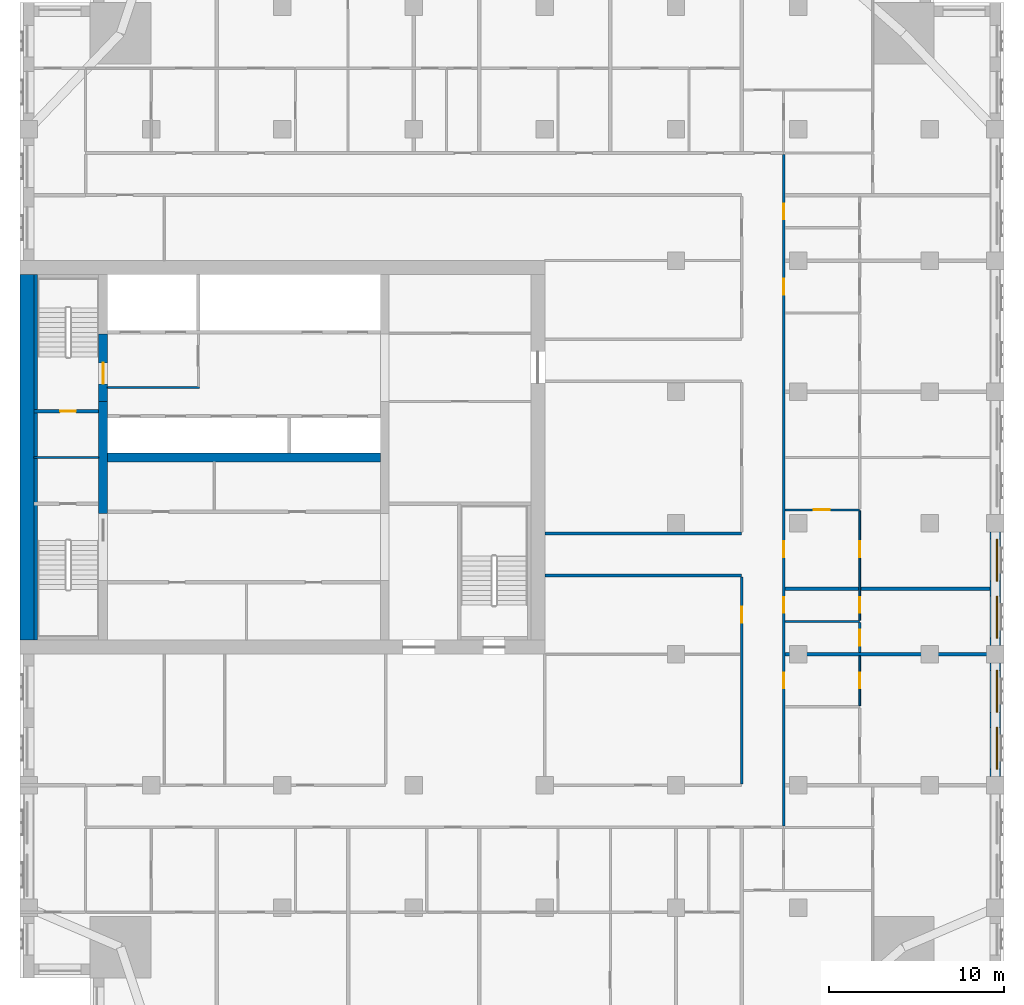
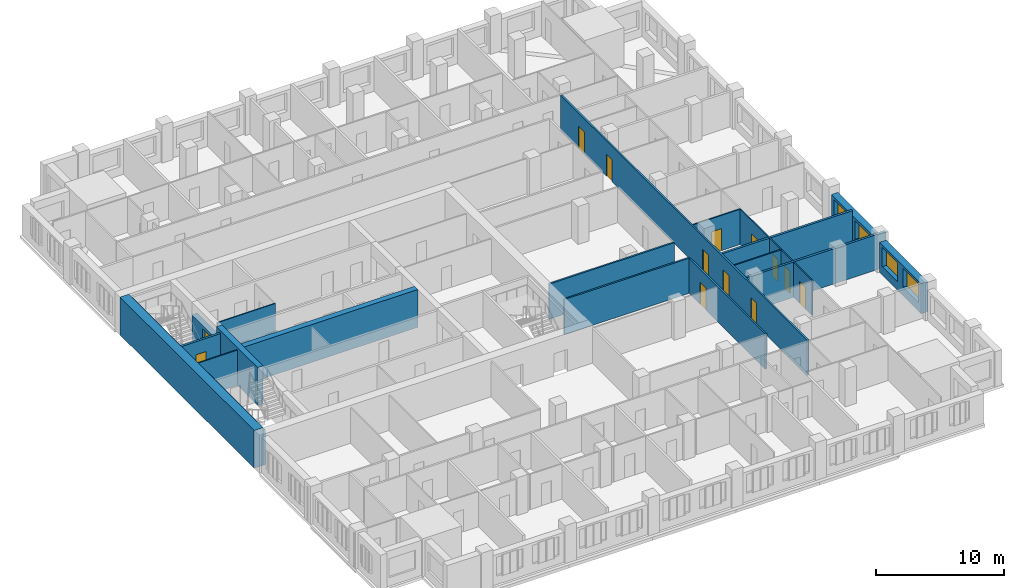
# One storey, part 7 of 14: 21 walls, 13 doors, 4 windows, 17 openings.
"""IFC4 building model written with IfcOpenShell, lengths in metres."""

from ifc_helpers import new_model, si_unit, direction, frame, frame_2d, origin, place, context, subcontext, project, spatial, rectangle, extrude, material, layer, layer_set, type_object, element, fill, save


model = new_model("IFC4")

# Units and contexts
model_context = context("Model", 3, precision=1e-05, world=origin(), true_north=direction((0.0, 1.0)))
body_context = subcontext(model_context, "Body", "Model", "MODEL_VIEW")
ifc_project = project(units=[si_unit("LENGTHUNIT", "METRE"), si_unit("AREAUNIT", "SQUARE_METRE"), si_unit("VOLUMEUNIT", "CUBIC_METRE"), si_unit("PLANEANGLEUNIT", "RADIAN"), si_unit("MASSUNIT", "GRAM", prefix="KILO")], contexts=[model_context])

# Site, building, storey
site_placement = place(None, origin())
site = spatial("IfcSite", under=ifc_project, at=site_placement, CompositionType="ELEMENT")
building_placement = place(site_placement, origin())
building = spatial("IfcBuilding", under=site, at=building_placement, Name="Tamorin Gate", CompositionType="ELEMENT")
storey_placement = place(building_placement, frame((0.0, 0.0, 133.800048828125)))
storey = spatial("IfcBuildingStorey", under=building, at=storey_placement, Name="L32", CompositionType="ELEMENT", Elevation=133.800048828125)

# Wall, openings, windows
ifc_material_1 = material(Name="Precast concrete C40/50", Category="concrete")
ifc_layer_1 = layer(ifc_material_1, 0.60009765625)
ifc_layer_set_1 = layer_set([ifc_layer_1], Name="Precast concrete C40/50")
wall_type_1 = type_object("IfcWallType", Name="Board-marked concrete facade panel 600", PredefinedType="SOLIDWALL", material=ifc_layer_set_1)
wall_1_placement = place(storey_placement, frame((85.75, 53.0, 0.0), z_axis=(0.0, 0.0, 1.0), x_axis=(0.0, 1.0, 0.0)))
wall_1 = element("IfcWall", 1, at=wall_1_placement, inside=storey, type_object=wall_type_1, Name="Facade panel", PredefinedType="SOLIDWALL", context=body_context, shape_type="SweptSolid", body=[
    extrude(rectangle(XDim=6.5, YDim=0.60009765625, at=frame_2d((3.25, 0.0))), origin(), (0.0, 0.0, 1.0), 2.849853515625),
])
opening_1_placement = place(wall_1_placement, frame((0.425048828125, 0.0, 0.800048828125)))
opening_1 = element("IfcOpeningElement", 2, at=opening_1_placement, cuts=wall_1, Name="Opening WN1", PredefinedType="OPENING", context=body_context, shape_type="SweptSolid", body=[
    extrude(rectangle(XDim=2.39990234375, YDim=1.800048828125, at=frame_2d((1.199951171875, 0.89990234375))), frame((0.0, 0.31005859375, 0.0), z_axis=(0.0, -1.0, 0.0), x_axis=(1.0, 0.0, 0.0)), (0.0, 0.0, 1.0), 0.6201171875),
])
opening_2_placement = place(wall_1_placement, frame((3.675048828125, 0.0, 0.800048828125)))
opening_2 = element("IfcOpeningElement", 3, at=opening_2_placement, cuts=wall_1, Name="Opening WN1", PredefinedType="OPENING", context=body_context, shape_type="SweptSolid", body=[
    extrude(rectangle(XDim=2.39990234375, YDim=1.800048828125, at=frame_2d((1.199951171875, 0.89990234375))), frame((0.0, 0.31005859375, 0.0), z_axis=(0.0, -1.0, 0.0), x_axis=(1.0, 0.0, 0.0)), (0.0, 0.0, 1.0), 0.6201171875),
])
ifc_material_2 = material(Name="Clear glass in aluminium frame", Category="aluminium")
window_type = type_object("IfcWindowType", Name="Deep-set window 2400x1800", PartitioningType="SINGLE_PANEL", PredefinedType="WINDOW", material=ifc_material_2)
window_1_placement = place(opening_1_placement, origin())
window_1 = element("IfcWindow", 4, at=window_1_placement, inside=storey, type_object=window_type, Name="Deep-set window", OverallHeight=1.800048828125, OverallWidth=2.39990234375, PartitioningType="SINGLE_PANEL", PredefinedType="WINDOW", context=body_context, shape_type="SweptSolid", body=[
    extrude(rectangle(XDim=2.39990234375, YDim=1.800048828125, at=frame_2d((1.199951171875, 0.89990234375))), frame((0.0, -0.070068359375, 0.0), z_axis=(0.0, -1.0, 0.0), x_axis=(1.0, 0.0, 0.0)), (0.0, 0.0, 1.0), 0.06005859375),
])
fill(opening_1, window_1)
window_2_placement = place(opening_2_placement, origin())
window_2 = element("IfcWindow", 5, at=window_2_placement, inside=storey, type_object=window_type, Name="Deep-set window", OverallHeight=1.800048828125, OverallWidth=2.39990234375, PartitioningType="SINGLE_PANEL", PredefinedType="WINDOW", context=body_context, shape_type="SweptSolid", body=[
    extrude(rectangle(XDim=2.39990234375, YDim=1.800048828125, at=frame_2d((1.199951171875, 0.89990234375))), frame((0.0, -0.070068359375, 0.0), z_axis=(0.0, -1.0, 0.0), x_axis=(1.0, 0.0, 0.0)), (0.0, 0.0, 1.0), 0.06005859375),
])
fill(opening_2, window_2)

wall_2_placement = place(storey_placement, frame((85.75, 60.5, 0.0), z_axis=(0.0, 0.0, 1.0), x_axis=(0.0, 1.0, 0.0)))
wall_2 = element("IfcWall", 6, at=wall_2_placement, inside=storey, type_object=wall_type_1, Name="Facade panel", PredefinedType="SOLIDWALL", context=body_context, shape_type="SweptSolid", body=[
    extrude(rectangle(XDim=6.5, YDim=0.60009765625, at=frame_2d((3.25, 0.0))), origin(), (0.0, 0.0, 1.0), 2.849853515625),
])
opening_3_placement = place(wall_2_placement, frame((0.425048828125, 0.0, 0.800048828125)))
opening_3 = element("IfcOpeningElement", 7, at=opening_3_placement, cuts=wall_2, Name="Opening WN1", PredefinedType="OPENING", context=body_context, shape_type="SweptSolid", body=[
    extrude(rectangle(XDim=2.39990234375, YDim=1.800048828125, at=frame_2d((1.199951171875, 0.89990234375))), frame((0.0, 0.31005859375, 0.0), z_axis=(0.0, -1.0, 0.0), x_axis=(1.0, 0.0, 0.0)), (0.0, 0.0, 1.0), 0.6201171875),
])
opening_4_placement = place(wall_2_placement, frame((3.675048828125, 0.0, 0.800048828125)))
opening_4 = element("IfcOpeningElement", 8, at=opening_4_placement, cuts=wall_2, Name="Opening WN1", PredefinedType="OPENING", context=body_context, shape_type="SweptSolid", body=[
    extrude(rectangle(XDim=2.39990234375, YDim=1.800048828125, at=frame_2d((1.199951171875, 0.89990234375))), frame((0.0, 0.31005859375, 0.0), z_axis=(0.0, -1.0, 0.0), x_axis=(1.0, 0.0, 0.0)), (0.0, 0.0, 1.0), 0.6201171875),
])
window_3_placement = place(opening_3_placement, origin())
window_3 = element("IfcWindow", 9, at=window_3_placement, inside=storey, type_object=window_type, Name="Deep-set window", OverallHeight=1.800048828125, OverallWidth=2.39990234375, PartitioningType="SINGLE_PANEL", PredefinedType="WINDOW", context=body_context, shape_type="SweptSolid", body=[
    extrude(rectangle(XDim=2.39990234375, YDim=1.800048828125, at=frame_2d((1.199951171875, 0.89990234375))), frame((0.0, -0.070068359375, 0.0), z_axis=(0.0, -1.0, 0.0), x_axis=(1.0, 0.0, 0.0)), (0.0, 0.0, 1.0), 0.06005859375),
])
fill(opening_3, window_3)
window_4_placement = place(opening_4_placement, origin())
window_4 = element("IfcWindow", 10, at=window_4_placement, inside=storey, type_object=window_type, Name="Deep-set window", OverallHeight=1.800048828125, OverallWidth=2.39990234375, PartitioningType="SINGLE_PANEL", PredefinedType="WINDOW", context=body_context, shape_type="SweptSolid", body=[
    extrude(rectangle(XDim=2.39990234375, YDim=1.800048828125, at=frame_2d((1.199951171875, 0.89990234375))), frame((0.0, -0.070068359375, 0.0), z_axis=(0.0, -1.0, 0.0), x_axis=(1.0, 0.0, 0.0)), (0.0, 0.0, 1.0), 0.06005859375),
])
fill(opening_4, window_4)

# Wall, opening, door
ifc_material_3 = material(Name="Gypsum board partition")
ifc_layer_2 = layer(ifc_material_3, 0.14990234375)
ifc_layer_set_2 = layer_set([ifc_layer_2], Name="Corridor wall 150")
wall_type_2 = type_object("IfcWallType", Name="Corridor wall 150", PredefinedType="PARTITIONING", material=ifc_layer_set_2)
wall_3_placement = place(storey_placement, frame((71.25, 52.574951171875, 0.0), z_axis=(0.0, 0.0, 1.0), x_axis=(0.0, 1.0, 0.0)))
wall_3 = element("IfcWall", 11, at=wall_3_placement, inside=storey, type_object=wall_type_2, Name="Corridor wall 150", PredefinedType="PARTITIONING", context=body_context, shape_type="SweptSolid", body=[
    extrude(rectangle(XDim=11.85009765625, YDim=0.14990234375, at=frame_2d((5.925048828125, 0.0))), origin(), (0.0, 0.0, 1.0), 3.349853515625),
])
opening_5_placement = place(wall_3_placement, frame((9.22509765625, 0.0, 0.0)))
opening_5 = element("IfcOpeningElement", 12, at=opening_5_placement, cuts=wall_3, Name="Opening DS2072", PredefinedType="OPENING", context=body_context, shape_type="SweptSolid", body=[
    extrude(rectangle(XDim=0.89990234375, YDim=2.10009765625, at=frame_2d((0.449951171875, 1.050048828125))), frame((0.0, 0.0849609375, 0.0), z_axis=(0.0, -1.0, 0.0), x_axis=(1.0, 0.0, 0.0)), (0.0, 0.0, 1.0), 0.169921875),
])
ifc_material_4 = material(Name="Timber door leaf", Category="wood")
door_type_1 = type_object("IfcDoorType", Name="Door 900 x 2100 FD30S", OperationType="NOTDEFINED", PredefinedType="DOOR", material=ifc_material_4)
door_1_placement = place(opening_5_placement, origin())
door_1 = element("IfcDoor", 13, at=door_1_placement, inside=storey, type_object=door_type_1, Name="Door DS2072", OperationType="SINGLE_SWING_LEFT", OverallHeight=2.10009765625, OverallWidth=0.89990234375, PredefinedType="DOOR", context=body_context, shape_type="SweptSolid", body=[
    extrude(rectangle(XDim=0.89990234375, YDim=2.10009765625, at=frame_2d((0.449951171875, 1.050048828125))), frame((0.0, 0.02490234375, 0.0), z_axis=(0.0, -1.0, 0.0), x_axis=(1.0, 0.0, 0.0)), (0.0, 0.0, 1.0), 0.050048828125),
])
fill(opening_5, door_1)

# Wall, openings, doors
wall_4_placement = place(storey_placement, frame((73.64990234375, 50.175048828125, 0.0), z_axis=(0.0, 0.0, 1.0), x_axis=(0.0, 1.0, 0.0)))
wall_4 = element("IfcWall", 14, at=wall_4_placement, inside=storey, type_object=wall_type_2, Name="Corridor wall 150", PredefinedType="PARTITIONING", context=body_context, shape_type="SweptSolid", body=[
    extrude(rectangle(XDim=38.39990234375, YDim=0.14990234375, at=frame_2d((19.199951171875, 0.0))), origin(), (0.0, 0.0, 1.0), 3.349853515625),
])
opening_6_placement = place(wall_4_placement, frame((7.875, 0.0, 0.0)))
opening_6 = element("IfcOpeningElement", 15, at=opening_6_placement, cuts=wall_4, Name="Opening DS2038", PredefinedType="OPENING", context=body_context, shape_type="SweptSolid", body=[
    extrude(rectangle(XDim=0.89990234375, YDim=2.10009765625, at=frame_2d((0.449951171875, 1.050048828125))), frame((0.0, 0.0849609375, 0.0), z_axis=(0.0, -1.0, 0.0), x_axis=(1.0, 0.0, 0.0)), (0.0, 0.0, 1.0), 0.169921875),
])
opening_7_placement = place(wall_4_placement, frame((12.1875, 0.0, 0.0)))
opening_7 = element("IfcOpeningElement", 16, at=opening_7_placement, cuts=wall_4, Name="Opening DS2041", PredefinedType="OPENING", context=body_context, shape_type="SweptSolid", body=[
    extrude(rectangle(XDim=0.89990234375, YDim=2.10009765625, at=frame_2d((0.449951171875, 1.050048828125))), frame((0.0, 0.0849609375, 0.0), z_axis=(0.0, -1.0, 0.0), x_axis=(1.0, 0.0, 0.0)), (0.0, 0.0, 1.0), 0.169921875),
])
opening_8_placement = place(wall_4_placement, frame((15.375, 0.0, 0.0)))
opening_8 = element("IfcOpeningElement", 17, at=opening_8_placement, cuts=wall_4, Name="Opening DS2043", PredefinedType="OPENING", context=body_context, shape_type="SweptSolid", body=[
    extrude(rectangle(XDim=0.89990234375, YDim=2.10009765625, at=frame_2d((0.449951171875, 1.050048828125))), frame((0.0, 0.0849609375, 0.0), z_axis=(0.0, -1.0, 0.0), x_axis=(1.0, 0.0, 0.0)), (0.0, 0.0, 1.0), 0.169921875),
])
opening_9_placement = place(wall_4_placement, frame((30.375, 0.0, 0.0)))
opening_9 = element("IfcOpeningElement", 18, at=opening_9_placement, cuts=wall_4, Name="Opening DS2049", PredefinedType="OPENING", context=body_context, shape_type="SweptSolid", body=[
    extrude(rectangle(XDim=0.89990234375, YDim=2.10009765625, at=frame_2d((0.449951171875, 1.050048828125))), frame((0.0, 0.0849609375, 0.0), z_axis=(0.0, -1.0, 0.0), x_axis=(1.0, 0.0, 0.0)), (0.0, 0.0, 1.0), 0.169921875),
])
opening_10_placement = place(wall_4_placement, frame((34.6875, 0.0, 0.0)))
opening_10 = element("IfcOpeningElement", 19, at=opening_10_placement, cuts=wall_4, Name="Opening DS2052", PredefinedType="OPENING", context=body_context, shape_type="SweptSolid", body=[
    extrude(rectangle(XDim=0.89990234375, YDim=2.10009765625, at=frame_2d((0.449951171875, 1.050048828125))), frame((0.0, 0.0849609375, 0.0), z_axis=(0.0, -1.0, 0.0), x_axis=(1.0, 0.0, 0.0)), (0.0, 0.0, 1.0), 0.169921875),
])
door_2_placement = place(opening_6_placement, origin())
door_2 = element("IfcDoor", 20, at=door_2_placement, inside=storey, type_object=door_type_1, Name="Door DS2038", OperationType="SINGLE_SWING_RIGHT", OverallHeight=2.10009765625, OverallWidth=0.89990234375, PredefinedType="DOOR", context=body_context, shape_type="SweptSolid", body=[
    extrude(rectangle(XDim=0.89990234375, YDim=2.10009765625, at=frame_2d((0.449951171875, 1.050048828125))), frame((0.0, 0.02490234375, 0.0), z_axis=(0.0, -1.0, 0.0), x_axis=(1.0, 0.0, 0.0)), (0.0, 0.0, 1.0), 0.050048828125),
])
fill(opening_6, door_2)
door_3_placement = place(opening_7_placement, origin())
door_3 = element("IfcDoor", 21, at=door_3_placement, inside=storey, type_object=door_type_1, Name="Door DS2041", OperationType="SINGLE_SWING_RIGHT", OverallHeight=2.10009765625, OverallWidth=0.89990234375, PredefinedType="DOOR", context=body_context, shape_type="SweptSolid", body=[
    extrude(rectangle(XDim=0.89990234375, YDim=2.10009765625, at=frame_2d((0.449951171875, 1.050048828125))), frame((0.0, 0.02490234375, 0.0), z_axis=(0.0, -1.0, 0.0), x_axis=(1.0, 0.0, 0.0)), (0.0, 0.0, 1.0), 0.050048828125),
])
fill(opening_7, door_3)
door_4_placement = place(opening_8_placement, origin())
door_4 = element("IfcDoor", 22, at=door_4_placement, inside=storey, type_object=door_type_1, Name="Door DS2043", OperationType="SINGLE_SWING_RIGHT", OverallHeight=2.10009765625, OverallWidth=0.89990234375, PredefinedType="DOOR", context=body_context, shape_type="SweptSolid", body=[
    extrude(rectangle(XDim=0.89990234375, YDim=2.10009765625, at=frame_2d((0.449951171875, 1.050048828125))), frame((0.0, 0.02490234375, 0.0), z_axis=(0.0, -1.0, 0.0), x_axis=(1.0, 0.0, 0.0)), (0.0, 0.0, 1.0), 0.050048828125),
])
fill(opening_8, door_4)
door_5_placement = place(opening_9_placement, origin())
door_5 = element("IfcDoor", 23, at=door_5_placement, inside=storey, type_object=door_type_1, Name="Door DS2049", OperationType="SINGLE_SWING_RIGHT", OverallHeight=2.10009765625, OverallWidth=0.89990234375, PredefinedType="DOOR", context=body_context, shape_type="SweptSolid", body=[
    extrude(rectangle(XDim=0.89990234375, YDim=2.10009765625, at=frame_2d((0.449951171875, 1.050048828125))), frame((0.0, 0.02490234375, 0.0), z_axis=(0.0, -1.0, 0.0), x_axis=(1.0, 0.0, 0.0)), (0.0, 0.0, 1.0), 0.050048828125),
])
fill(opening_9, door_5)
door_6_placement = place(opening_10_placement, origin())
door_6 = element("IfcDoor", 24, at=door_6_placement, inside=storey, type_object=door_type_1, Name="Door DS2052", OperationType="SINGLE_SWING_RIGHT", OverallHeight=2.10009765625, OverallWidth=0.89990234375, PredefinedType="DOOR", context=body_context, shape_type="SweptSolid", body=[
    extrude(rectangle(XDim=0.89990234375, YDim=2.10009765625, at=frame_2d((0.449951171875, 1.050048828125))), frame((0.0, 0.02490234375, 0.0), z_axis=(0.0, -1.0, 0.0), x_axis=(1.0, 0.0, 0.0)), (0.0, 0.0, 1.0), 0.050048828125),
])
fill(opening_10, door_6)

# Walls
ifc_layer_3 = layer(ifc_material_3, 0.199951171875)
ifc_layer_set_3 = layer_set([ifc_layer_3], Name="Demising wall 200")
wall_type_3 = type_object("IfcWallType", Name="Demising wall 200", PredefinedType="PARTITIONING", material=ifc_layer_set_3)
wall_5_placement = place(storey_placement, frame((73.72509765625, 60.0, 0.0), z_axis=(0.0, 0.0, 1.0), x_axis=(1.0, 0.0, 0.0)))
element("IfcWall", 25, at=wall_5_placement, inside=storey, type_object=wall_type_3, Name="Demising wall 200", PredefinedType="PARTITIONING", context=body_context, shape_type="SweptSolid", body=[
    extrude(rectangle(XDim=12.52490234375, YDim=0.199951171875, at=frame_2d((6.262451171875, 0.0))), origin(), (0.0, 0.0, 1.0), 3.349853515625),
])
wall_6_placement = place(storey_placement, frame((73.72509765625, 63.75, 0.0), z_axis=(0.0, 0.0, 1.0), x_axis=(1.0, 0.0, 0.0)))
element("IfcWall", 26, at=wall_6_placement, inside=storey, type_object=wall_type_3, Name="Demising wall 200", PredefinedType="PARTITIONING", context=body_context, shape_type="SweptSolid", body=[
    extrude(rectangle(XDim=11.71484375, YDim=0.199951171875, at=frame_2d((5.857421875, 0.0))), origin(), (0.0, 0.0, 1.0), 3.349853515625),
])
ifc_material_5 = material(Name="Fire-rated gypsum board partition")
ifc_layer_4 = layer(ifc_material_5, 0.10009765625)
ifc_layer_set_4 = layer_set([ifc_layer_4], Name="Lobby wall 100 EI 60")
wall_type_4 = type_object("IfcWallType", Name="Lobby wall 100 EI 60", PredefinedType="PARTITIONING", material=ifc_layer_set_4)
wall_7_placement = place(storey_placement, frame((35.0, 75.25, 0.0), z_axis=(0.0, 0.0, 1.0), x_axis=(1.0, 0.0, 0.0)))
element("IfcWall", 27, at=wall_7_placement, inside=storey, type_object=wall_type_4, Name="Firefighting lobby wall", PredefinedType="PARTITIONING", context=body_context, shape_type="SweptSolid", body=[
    extrude(rectangle(XDim=5.25, YDim=0.10009765625, at=frame_2d((2.625, 0.0))), origin(), (0.0, 0.0, 1.0), 3.349853515625),
])
ifc_layer_5 = layer(ifc_material_3, 0.14990234375)
ifc_layer_set_5 = layer_set([ifc_layer_5], Name="Lobby wall 150")
wall_type_5 = type_object("IfcWallType", Name="Lobby wall 150", PredefinedType="PARTITIONING", material=ifc_layer_set_5)
for number, where, z_axis, x_axis, name in (
    (28, (60.0, 64.5, 0.0), (0.0, 0.0, 1.0), (1.0, 0.0, 0.0), "Lobby wall 150"),
    (29, (60.0, 66.89990234375, 0.0), (0.0, 0.0, 1.0), (1.0, 0.0, 0.0), "Lobby wall 150"),
):
    element("IfcWall", number, at=place(storey_placement, frame(where, z_axis=z_axis, x_axis=x_axis)), inside=storey, type_object=wall_type_5, Name=name, PredefinedType="PARTITIONING", context=body_context, shape_type="SweptSolid", body=[
        extrude(rectangle(XDim=11.25, YDim=0.14990234375, at=frame_2d((5.625, 0.0))), origin(), (0.0, 0.0, 1.0), 3.349853515625),
    ])
ifc_material_6 = material(Name="Concrete C60/75", Category="concrete")
ifc_layer_6 = layer(ifc_material_6, 0.5)
ifc_layer_set_6 = layer_set([ifc_layer_6], Name="RC core internal wall 500 C60/75")
wall_type_6 = type_object("IfcWallType", Name="RC core internal wall 500 C60/75", PredefinedType="SHEAR", material=ifc_layer_set_6)
wall_8_placement = place(storey_placement, frame((35.0, 71.25, 0.0), z_axis=(0.0, 0.0, 1.0), x_axis=(1.0, 0.0, 0.0)))
element("IfcWall", 30, at=wall_8_placement, inside=storey, type_object=wall_type_6, Name="Core spine wall L32", PredefinedType="SHEAR", context=body_context, shape_type="SweptSolid", body=[
    extrude(rectangle(XDim=15.60009765625, YDim=0.5, at=frame_2d((7.800048828125, 0.0))), origin(), (0.0, 0.0, 1.0), 3.599853515625),
])
wall_9_placement = place(storey_placement, frame((34.75, 68.050048828125, 0.0), z_axis=(0.0, 0.0, 1.0), x_axis=(0.0, 1.0, 0.0)))
element("IfcWall", 31, at=wall_9_placement, inside=storey, type_object=wall_type_6, Name="Core cross wall L32", PredefinedType="SHEAR", context=body_context, shape_type="SweptSolid", body=[
    extrude(rectangle(XDim=6.39990234375, YDim=0.5, at=frame_2d((3.199951171875, 0.0))), origin(), (0.0, 0.0, 1.0), 3.599853515625),
])
ifc_layer_7 = layer(ifc_material_6, 0.800048828125)
ifc_layer_set_7 = layer_set([ifc_layer_7], Name="RC core wall 800 C60/75")
wall_type_7 = type_object("IfcWallType", Name="RC core wall 800 C60/75", PredefinedType="SHEAR", material=ifc_layer_set_7)
wall_10_placement = place(storey_placement, frame((30.39990234375, 60.800048828125, 0.0), z_axis=(0.0, 0.0, 1.0), x_axis=(0.0, 1.0, 0.0)))
element("IfcWall", 32, at=wall_10_placement, inside=storey, type_object=wall_type_7, Name="Core wall L32", PredefinedType="SHEAR", context=body_context, shape_type="SweptSolid", body=[
    extrude(rectangle(XDim=20.89990234375, YDim=0.800048828125, at=frame_2d((10.449951171875, 0.0))), origin(), (0.0, 0.0, 1.0), 3.599853515625),
])
ifc_layer_8 = layer(ifc_material_5, 0.10009765625)
ifc_layer_set_8 = layer_set([ifc_layer_8], Name="Riser partition 100 EI 120")
wall_type_8 = type_object("IfcWallType", Name="Riser partition 100 EI 120", PredefinedType="PARTITIONING", material=ifc_layer_set_8)
wall_11_placement = place(storey_placement, frame((30.800048828125, 71.25, 0.0), z_axis=(0.0, 0.0, 1.0), x_axis=(1.0, 0.0, 0.0)))
element("IfcWall", 33, at=wall_11_placement, inside=storey, type_object=wall_type_8, Name="Riser partition", PredefinedType="PARTITIONING", context=body_context, shape_type="SweptSolid", body=[
    extrude(rectangle(XDim=3.699951171875, YDim=0.10009765625, at=frame_2d((1.85009765625, 0.0))), origin(), (0.0, 0.0, 1.0), 3.349853515625),
])

# Wall, opening, door
ifc_layer_9 = layer(ifc_material_3, 0.10009765625)
ifc_layer_set_9 = layer_set([ifc_layer_9], Name="Room partition 100")
wall_type_9 = type_object("IfcWallType", Name="Room partition 100", PredefinedType="PARTITIONING", material=ifc_layer_set_9)
wall_12_placement = place(storey_placement, frame((78.0, 57.0625, 0.0), z_axis=(0.0, 0.0, 1.0), x_axis=(0.0, 1.0, 0.0)))
wall_12 = element("IfcWall", 34, at=wall_12_placement, inside=storey, type_object=wall_type_9, Name="Room partition 100", PredefinedType="PARTITIONING", context=body_context, shape_type="SweptSolid", body=[
    extrude(rectangle(XDim=2.83740234375, YDim=0.10009765625, at=frame_2d((1.418701171875, 0.0))), origin(), (0.0, 0.0, 1.0), 3.349853515625),
])
opening_11_placement = place(wall_12_placement, frame((0.987548828125, 0.0, 0.0)))
opening_11 = element("IfcOpeningElement", 35, at=opening_11_placement, cuts=wall_12, Name="Opening DS2039", PredefinedType="OPENING", context=body_context, shape_type="SweptSolid", body=[
    extrude(rectangle(XDim=0.89990234375, YDim=2.10009765625, at=frame_2d((0.449951171875, 1.050048828125))), frame((0.0, 0.06005859375, 0.0), z_axis=(0.0, -1.0, 0.0), x_axis=(1.0, 0.0, 0.0)), (0.0, 0.0, 1.0), 0.1201171875),
])
door_type_2 = type_object("IfcDoorType", Name="Door 900 x 2100", OperationType="NOTDEFINED", PredefinedType="DOOR", material=ifc_material_4)
door_7_placement = place(opening_11_placement, origin())
door_7 = element("IfcDoor", 36, at=door_7_placement, inside=storey, type_object=door_type_2, Name="Door DS2039", OperationType="SINGLE_SWING_LEFT", OverallHeight=2.10009765625, OverallWidth=0.89990234375, PredefinedType="DOOR", context=body_context, shape_type="SweptSolid", body=[
    extrude(rectangle(XDim=0.89990234375, YDim=2.10009765625, at=frame_2d((0.449951171875, 1.050048828125))), frame((0.0, 0.02490234375, 0.0), z_axis=(0.0, -1.0, 0.0), x_axis=(1.0, 0.0, 0.0)), (0.0, 0.0, 1.0), 0.050048828125),
])
fill(opening_11, door_7)

# Wall, openings, doors
wall_13_placement = place(storey_placement, frame((78.0, 61.9375, 0.0), z_axis=(0.0, 0.0, 1.0), x_axis=(0.0, 1.0, 0.0)))
wall_13 = element("IfcWall", 37, at=wall_13_placement, inside=storey, type_object=wall_type_9, Name="Room partition 100", PredefinedType="PARTITIONING", context=body_context, shape_type="SweptSolid", body=[
    extrude(rectangle(XDim=6.25, YDim=0.10009765625, at=frame_2d((3.125, 0.0))), origin(), (0.0, 0.0, 1.0), 3.349853515625),
])
opening_12_placement = place(wall_13_placement, frame((0.425048828125, 0.0, 0.0)))
opening_12 = element("IfcOpeningElement", 38, at=opening_12_placement, cuts=wall_13, Name="Opening DS2042", PredefinedType="OPENING", context=body_context, shape_type="SweptSolid", body=[
    extrude(rectangle(XDim=0.89990234375, YDim=2.10009765625, at=frame_2d((0.449951171875, 1.050048828125))), frame((0.0, 0.06005859375, 0.0), z_axis=(0.0, -1.0, 0.0), x_axis=(1.0, 0.0, 0.0)), (0.0, 0.0, 1.0), 0.1201171875),
])
opening_13_placement = place(wall_13_placement, frame((3.612548828125, 0.0, 0.0)))
opening_13 = element("IfcOpeningElement", 39, at=opening_13_placement, cuts=wall_13, Name="Opening DS2044", PredefinedType="OPENING", context=body_context, shape_type="SweptSolid", body=[
    extrude(rectangle(XDim=0.89990234375, YDim=2.10009765625, at=frame_2d((0.449951171875, 1.050048828125))), frame((0.0, 0.06005859375, 0.0), z_axis=(0.0, -1.0, 0.0), x_axis=(1.0, 0.0, 0.0)), (0.0, 0.0, 1.0), 0.1201171875),
])
door_8_placement = place(opening_12_placement, origin())
door_8 = element("IfcDoor", 40, at=door_8_placement, inside=storey, type_object=door_type_2, Name="Door DS2042", OperationType="SINGLE_SWING_LEFT", OverallHeight=2.10009765625, OverallWidth=0.89990234375, PredefinedType="DOOR", context=body_context, shape_type="SweptSolid", body=[
    extrude(rectangle(XDim=0.89990234375, YDim=2.10009765625, at=frame_2d((0.449951171875, 1.050048828125))), frame((0.0, 0.02490234375, 0.0), z_axis=(0.0, -1.0, 0.0), x_axis=(1.0, 0.0, 0.0)), (0.0, 0.0, 1.0), 0.050048828125),
])
fill(opening_12, door_8)
door_9_placement = place(opening_13_placement, origin())
door_9 = element("IfcDoor", 41, at=door_9_placement, inside=storey, type_object=door_type_2, Name="Door DS2044", OperationType="SINGLE_SWING_LEFT", OverallHeight=2.10009765625, OverallWidth=0.89990234375, PredefinedType="DOOR", context=body_context, shape_type="SweptSolid", body=[
    extrude(rectangle(XDim=0.89990234375, YDim=2.10009765625, at=frame_2d((0.449951171875, 1.050048828125))), frame((0.0, 0.02490234375, 0.0), z_axis=(0.0, -1.0, 0.0), x_axis=(1.0, 0.0, 0.0)), (0.0, 0.0, 1.0), 0.050048828125),
])
fill(opening_13, door_9)

# Wall, opening, door
ifc_material_7 = material(Name="Concrete C40/50", Category="concrete")
ifc_layer_10 = layer(ifc_material_7, 0.199951171875)
ifc_layer_set_10 = layer_set([ifc_layer_10], Name="Stair enclosure wall 200 EI 120 C40/50")
wall_type_10 = type_object("IfcWallType", Name="Stair enclosure wall 200 EI 120 C40/50", PredefinedType="SOLIDWALL", material=ifc_layer_set_10)
wall_14_placement = place(storey_placement, frame((30.800048828125, 73.89990234375, 0.0), z_axis=(0.0, 0.0, 1.0), x_axis=(1.0, 0.0, 0.0)))
wall_14 = element("IfcWall", 42, at=wall_14_placement, inside=storey, type_object=wall_type_10, Name="Stair enclosure wall", PredefinedType="SOLIDWALL", context=body_context, shape_type="SweptSolid", body=[
    extrude(rectangle(XDim=3.699951171875, YDim=0.199951171875, at=frame_2d((1.85009765625, 0.0))), origin(), (0.0, 0.0, 1.0), 3.349853515625),
])
opening_14_placement = place(wall_14_placement, frame((1.5, 0.0, 0.0)))
opening_14 = element("IfcOpeningElement", 43, at=opening_14_placement, cuts=wall_14, Name="Opening DR1", PredefinedType="OPENING", context=body_context, shape_type="SweptSolid", body=[
    extrude(rectangle(XDim=0.89990234375, YDim=2.10009765625, at=frame_2d((0.449951171875, 1.050048828125))), frame((0.0, 0.10986328125, 0.0), z_axis=(0.0, -1.0, 0.0), x_axis=(1.0, 0.0, 0.0)), (0.0, 0.0, 1.0), 0.219970703125),
])
ifc_material_8 = material(Name="Steel fire door", Category="steel")
door_type_3 = type_object("IfcDoorType", Name="Riser access door 900 x 2100 EI 120", OperationType="SINGLE_SWING_LEFT", PredefinedType="DOOR", material=ifc_material_8)
door_10_placement = place(opening_14_placement, origin())
door_10 = element("IfcDoor", 44, at=door_10_placement, inside=storey, type_object=door_type_3, Name="Communications riser door", OperationType="SINGLE_SWING_RIGHT", OverallHeight=2.10009765625, OverallWidth=0.89990234375, PredefinedType="DOOR", context=body_context, shape_type="SweptSolid", body=[
    extrude(rectangle(XDim=0.89990234375, YDim=2.10009765625, at=frame_2d((0.449951171875, 1.050048828125))), frame((0.0, 0.02490234375, 0.0), z_axis=(0.0, -1.0, 0.0), x_axis=(1.0, 0.0, 0.0)), (0.0, 0.0, 1.0), 0.050048828125),
])
fill(opening_14, door_10)

# Wall
ifc_layer_11 = layer(ifc_material_6, 0.199951171875)
ifc_layer_set_11 = layer_set([ifc_layer_11], Name="Stair lining wall 200 EI 120 C60/75")
wall_type_11 = type_object("IfcWallType", Name="Stair lining wall 200 EI 120 C60/75", PredefinedType="SOLIDWALL", material=ifc_layer_set_11)
wall_15_placement = place(storey_placement, frame((30.89990234375, 60.800048828125, 0.0), z_axis=(0.0, 0.0, 1.0), x_axis=(0.0, 1.0, 0.0)))
element("IfcWall", 45, at=wall_15_placement, inside=storey, type_object=wall_type_11, Name="Stair lining wall", PredefinedType="SOLIDWALL", context=body_context, shape_type="SweptSolid", body=[
    extrude(rectangle(XDim=20.89990234375, YDim=0.199951171875, at=frame_2d((10.449951171875, 0.0))), origin(), (0.0, 0.0, 1.0), 3.349853515625),
])

# Wall, opening, door
ifc_material_9 = material(Name="Concrete C32/40", Category="concrete")
ifc_layer_12 = layer(ifc_material_9, 0.5)
ifc_layer_set_12 = layer_set([ifc_layer_12], Name="Stair lobby infill wall 500 EI 120")
wall_type_12 = type_object("IfcWallType", Name="Stair lobby infill wall 500 EI 120", PredefinedType="SOLIDWALL", material=ifc_layer_set_12)
wall_16_placement = place(storey_placement, frame((34.75, 74.449951171875, 0.0), z_axis=(0.0, 0.0, 1.0), x_axis=(0.0, 1.0, 0.0)))
wall_16 = element("IfcWall", 46, at=wall_16_placement, inside=storey, type_object=wall_type_12, Name="Stair lobby infill wall", PredefinedType="SOLIDWALL", context=body_context, shape_type="SweptSolid", body=[
    extrude(rectangle(XDim=3.85009765625, YDim=0.5, at=frame_2d((1.925048828125, 0.0))), origin(), (0.0, 0.0, 1.0), 2.39990234375),
])
opening_15_placement = place(wall_16_placement, frame((1.0, 0.0, 0.0)))
opening_15 = element("IfcOpeningElement", 47, at=opening_15_placement, cuts=wall_16, Name="Opening DS1", PredefinedType="OPENING", context=body_context, shape_type="SweptSolid", body=[
    extrude(rectangle(XDim=1.199951171875, YDim=2.10009765625, at=frame_2d((0.60009765625, 1.050048828125))), frame((0.0, 0.260009765625, 0.0), z_axis=(0.0, -1.0, 0.0), x_axis=(1.0, 0.0, 0.0)), (0.0, 0.0, 1.0), 0.52001953125),
])
door_type_4 = type_object("IfcDoorType", Name="Stair door 1200 x 2100 EI 90", OperationType="SINGLE_SWING_LEFT", PredefinedType="DOOR", material=ifc_material_8)
door_11_placement = place(opening_15_placement, origin())
door_11 = element("IfcDoor", 48, at=door_11_placement, inside=storey, type_object=door_type_4, Name="ST2 door", OperationType="SINGLE_SWING_RIGHT", OverallHeight=2.10009765625, OverallWidth=1.199951171875, PredefinedType="DOOR", context=body_context, shape_type="SweptSolid", body=[
    extrude(rectangle(XDim=1.199951171875, YDim=2.10009765625, at=frame_2d((0.60009765625, 1.050048828125))), frame((0.0, 0.02490234375, 0.0), z_axis=(0.0, -1.0, 0.0), x_axis=(1.0, 0.0, 0.0)), (0.0, 0.0, 1.0), 0.050048828125),
])
fill(opening_15, door_11)

# Wall
ifc_layer_13 = layer(ifc_material_3, 0.125)
ifc_layer_set_13 = layer_set([ifc_layer_13], Name="Wet wall 125")
wall_type_13 = type_object("IfcWallType", Name="Wet wall 125", PredefinedType="PARTITIONING", material=ifc_layer_set_13)
wall_17_placement = place(storey_placement, frame((73.72509765625, 61.875, 0.0), z_axis=(0.0, 0.0, 1.0), x_axis=(1.0, 0.0, 0.0)))
element("IfcWall", 49, at=wall_17_placement, inside=storey, type_object=wall_type_13, Name="Wet wall 125", PredefinedType="PARTITIONING", context=body_context, shape_type="SweptSolid", body=[
    extrude(rectangle(XDim=4.27490234375, YDim=0.125, at=frame_2d((2.137451171875, 0.0))), origin(), (0.0, 0.0, 1.0), 3.349853515625),
])

# Wall, opening, door
wall_18_placement = place(storey_placement, frame((73.72509765625, 68.25, 0.0), z_axis=(0.0, 0.0, 1.0), x_axis=(1.0, 0.0, 0.0)))
wall_18 = element("IfcWall", 50, at=wall_18_placement, inside=storey, type_object=wall_type_13, Name="Wet wall 125", PredefinedType="PARTITIONING", context=body_context, shape_type="SweptSolid", body=[
    extrude(rectangle(XDim=4.27490234375, YDim=0.125, at=frame_2d((2.137451171875, 0.0))), origin(), (0.0, 0.0, 1.0), 3.349853515625),
])
opening_16_placement = place(wall_18_placement, frame((1.64990234375, 0.0, 0.0)))
opening_16 = element("IfcOpeningElement", 51, at=opening_16_placement, cuts=wall_18, Name="Opening DS2045", PredefinedType="OPENING", context=body_context, shape_type="SweptSolid", body=[
    extrude(rectangle(XDim=0.89990234375, YDim=2.10009765625, at=frame_2d((0.449951171875, 1.050048828125))), frame((0.0, 0.072509765625, 0.0), z_axis=(0.0, -1.0, 0.0), x_axis=(1.0, 0.0, 0.0)), (0.0, 0.0, 1.0), 0.14501953125),
])
door_12_placement = place(opening_16_placement, origin())
door_12 = element("IfcDoor", 52, at=door_12_placement, inside=storey, type_object=door_type_2, Name="Door DS2045", OperationType="SINGLE_SWING_RIGHT", OverallHeight=2.10009765625, OverallWidth=0.89990234375, PredefinedType="DOOR", context=body_context, shape_type="SweptSolid", body=[
    extrude(rectangle(XDim=0.89990234375, YDim=2.10009765625, at=frame_2d((0.449951171875, 1.050048828125))), frame((0.0, 0.02490234375, 0.0), z_axis=(0.0, -1.0, 0.0), x_axis=(1.0, 0.0, 0.0)), (0.0, 0.0, 1.0), 0.050048828125),
])
fill(opening_16, door_12)

wall_19_placement = place(storey_placement, frame((78.0, 60.10009765625, 0.0), z_axis=(0.0, 0.0, 1.0), x_axis=(0.0, 1.0, 0.0)))
wall_19 = element("IfcWall", 53, at=wall_19_placement, inside=storey, type_object=wall_type_13, Name="Wet wall 125", PredefinedType="PARTITIONING", context=body_context, shape_type="SweptSolid", body=[
    extrude(rectangle(XDim=1.71240234375, YDim=0.125, at=frame_2d((0.856201171875, 0.0))), origin(), (0.0, 0.0, 1.0), 3.349853515625),
])
opening_17_placement = place(wall_19_placement, frame((0.387451171875, 0.0, 0.0)))
opening_17 = element("IfcOpeningElement", 54, at=opening_17_placement, cuts=wall_19, Name="Opening DS2040", PredefinedType="OPENING", context=body_context, shape_type="SweptSolid", body=[
    extrude(rectangle(XDim=0.89990234375, YDim=2.10009765625, at=frame_2d((0.449951171875, 1.050048828125))), frame((0.0, 0.072509765625, 0.0), z_axis=(0.0, -1.0, 0.0), x_axis=(1.0, 0.0, 0.0)), (0.0, 0.0, 1.0), 0.14501953125),
])
door_13_placement = place(opening_17_placement, origin())
door_13 = element("IfcDoor", 55, at=door_13_placement, inside=storey, type_object=door_type_2, Name="Door DS2040", OperationType="SINGLE_SWING_LEFT", OverallHeight=2.10009765625, OverallWidth=0.89990234375, PredefinedType="DOOR", context=body_context, shape_type="SweptSolid", body=[
    extrude(rectangle(XDim=0.89990234375, YDim=2.10009765625, at=frame_2d((0.449951171875, 1.050048828125))), frame((0.0, 0.02490234375, 0.0), z_axis=(0.0, -1.0, 0.0), x_axis=(1.0, 0.0, 0.0)), (0.0, 0.0, 1.0), 0.050048828125),
])
fill(opening_17, door_13)

save(model, "model.ifc")
